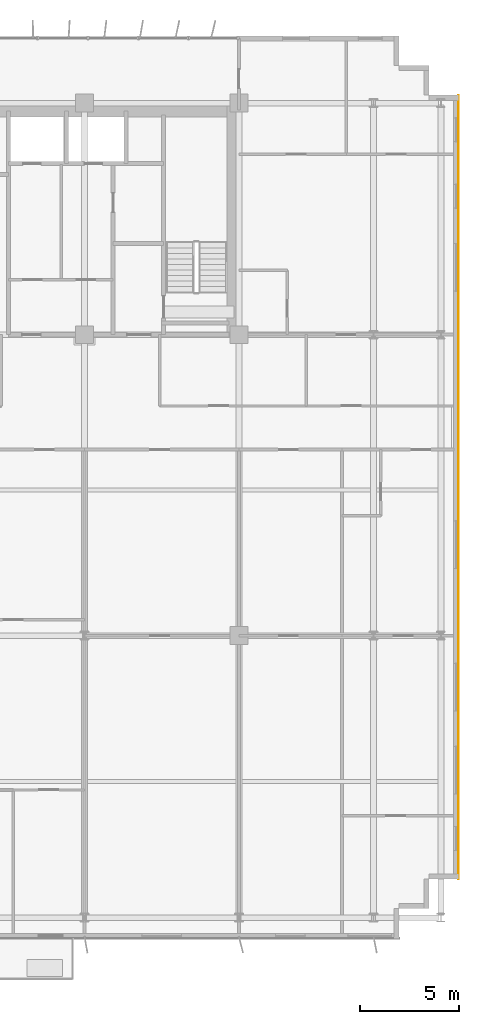
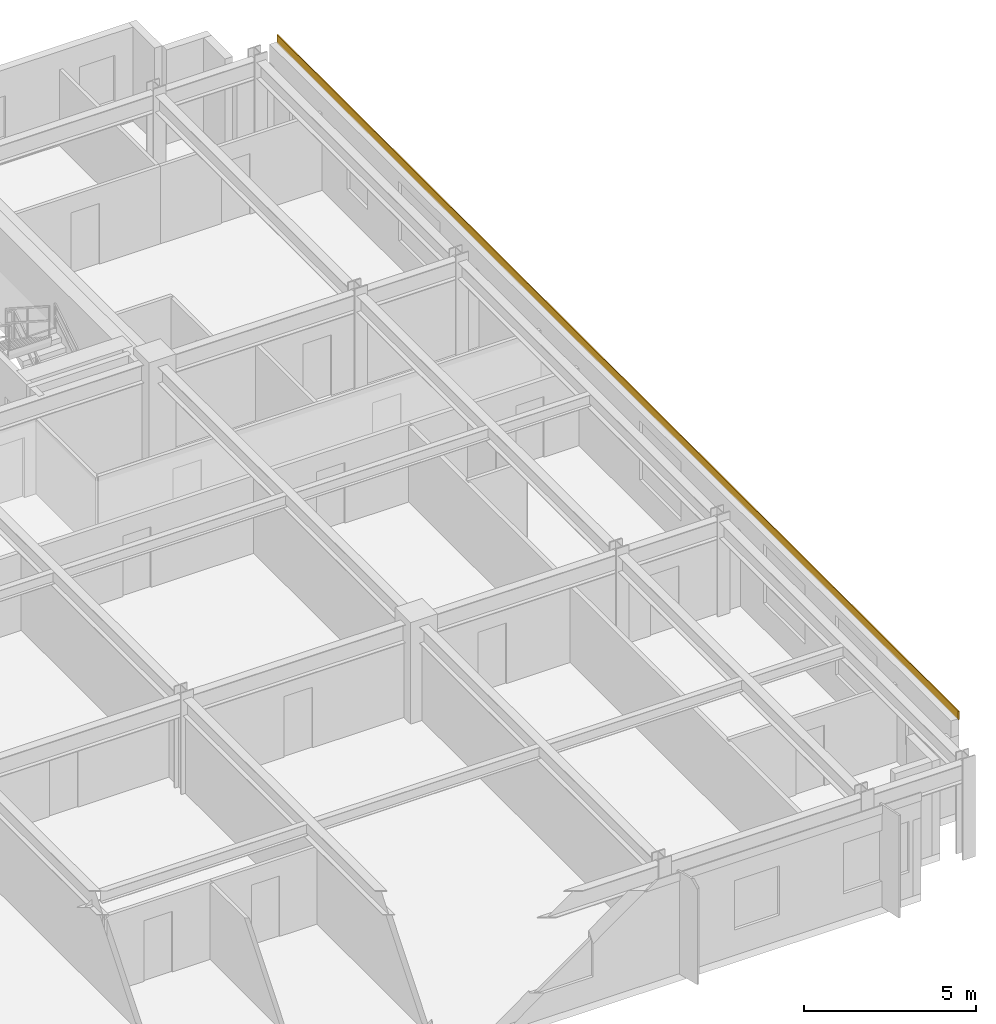
# One storey, part 22 of 22: 1 covering.
"""IFC4 building model written with IfcOpenShell, lengths in metres."""

from ifc_helpers import new_model, si_unit, direction, frame, origin, origin_2d, place, context, subcontext, project, spatial, rectangle, extrude, source, transform, mapped, material, layer, layer_set, type_object, element, save


model = new_model("IFC4")

# Units and contexts
model_context = context("Model", 3, precision=1e-05, world=origin(), true_north=direction((0.0, 1.0)))
body_context = subcontext(model_context, "Body", "Model", "MODEL_VIEW")
ifc_project = project(units=[si_unit("LENGTHUNIT", "METRE"), si_unit("AREAUNIT", "SQUARE_METRE"), si_unit("VOLUMEUNIT", "CUBIC_METRE"), si_unit("PLANEANGLEUNIT", "RADIAN"), si_unit("MASSUNIT", "GRAM", prefix="KILO")], contexts=[model_context])

# Site, building, storey
site_placement = place(None, origin())
site = spatial("IfcSite", under=ifc_project, at=site_placement, CompositionType="ELEMENT")
building_placement = place(site_placement, origin())
building = spatial("IfcBuilding", under=site, at=building_placement, Name="Trelvane Seafront Commons", CompositionType="ELEMENT")
storey_placement = place(building_placement, frame((0.0, 0.0, 45.10009765625)))
storey = spatial("IfcBuildingStorey", under=building, at=storey_placement, Name="L11", CompositionType="ELEMENT", Elevation=45.10009765625)

# Covering
ifc_material = material(Name="Anodised pale-silver aluminium", Category="aluminium")
ifc_layer = layer(ifc_material, 0.034912109375, Name="ARCH-COV-CLAD35")
ifc_layer_set = layer_set([ifc_layer], Name="Anodised pale-silver aluminium")
covering_type = type_object("IfcCoveringType", Name="ARCH-COV-CLAD35", PredefinedType="CLADDING", material=ifc_layer_set)
shared_shape = source(origin(), body_context, "Body", "SweptSolid", [
    extrude(rectangle(XDim=39.60009765625, YDim=0.034912109375, at=origin_2d()), origin(), (0.0, 0.0, 1.0), 0.300048828125),
])
covering_placement = place(storey_placement, frame((69.89990234375, 25.699951171875, 3.2998046875), z_axis=(0.0, 0.0, 1.0), x_axis=(0.0, -1.0, 0.0)))
element("IfcCovering", 1, at=covering_placement, inside=storey, type_object=covering_type, Name="CLD-L11-00058", PredefinedType="CLADDING", context=body_context, shape_type="MappedRepresentation", body=[
    mapped(shared_shape, transform((0.0, 0.0, 0.0), x_axis=(1.0, 0.0, 0.0), y_axis=(0.0, 1.0, 0.0), z_axis=(0.0, 0.0, 1.0), scale=1.0)),
])

save(model, "model.ifc")
